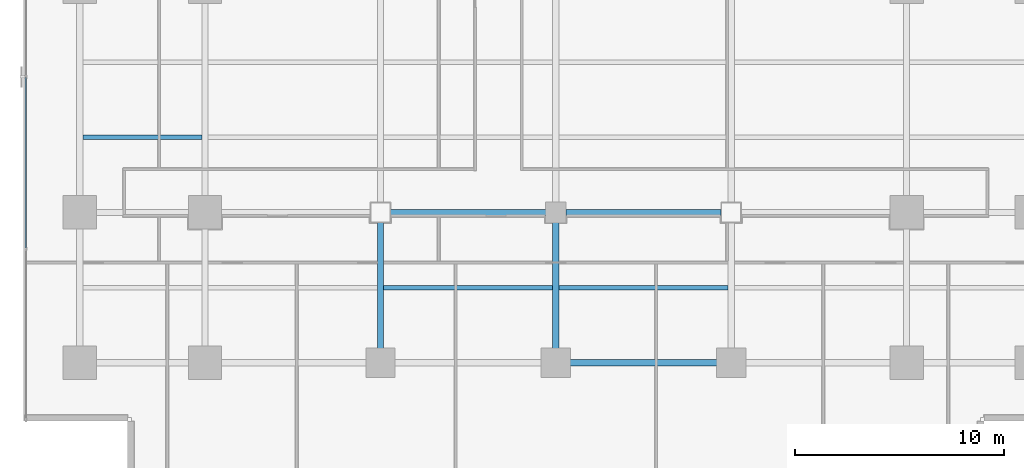
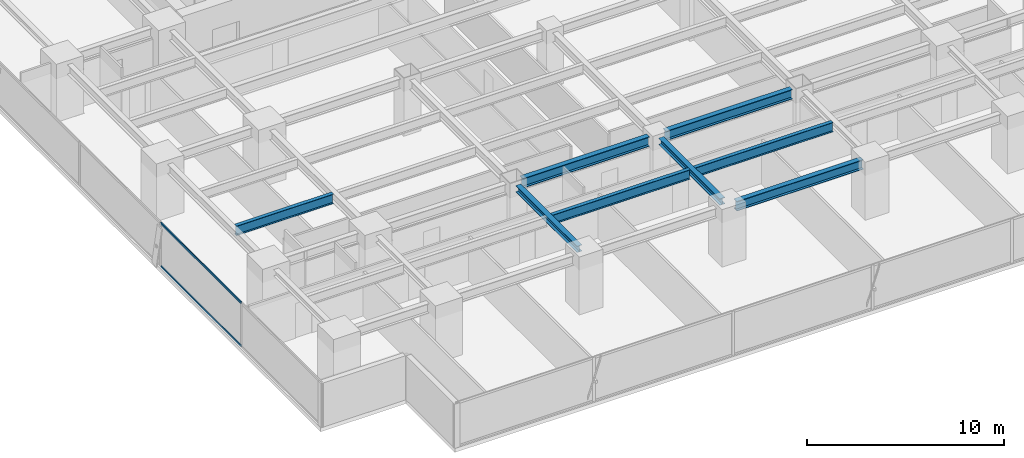
# One storey, part 7 of 36: 8 beams, 2 members, 1 element without a shape of its own.
"""IFC4 building model written with IfcOpenShell, lengths in metres."""

from ifc_helpers import new_model, si_unit, direction, frame, origin, origin_2d, place, context, subcontext, project, spatial, hollow_rectangle, i_section, extrude, source, transform, mapped, material, layer, layer_set, material_profile, profile_set, type_object, element, aggregate, save


model = new_model("IFC4")

# Units and contexts
model_context = context("Model", 3, precision=1e-05, world=origin(), true_north=direction((0.0, 1.0)))
body_context = subcontext(model_context, "Body", "Model", "MODEL_VIEW")
ifc_project = project(units=[si_unit("LENGTHUNIT", "METRE"), si_unit("AREAUNIT", "SQUARE_METRE"), si_unit("VOLUMEUNIT", "CUBIC_METRE"), si_unit("PLANEANGLEUNIT", "RADIAN"), si_unit("MASSUNIT", "GRAM", prefix="KILO")], contexts=[model_context])

# Site, building, storey
site_placement = place(None, origin())
site = spatial("IfcSite", under=ifc_project, at=site_placement, CompositionType="ELEMENT")
building_placement = place(site_placement, origin())
building = spatial("IfcBuilding", under=site, at=building_placement, Name="Sumidabori Civic Tower", CompositionType="ELEMENT")
storey_placement = place(building_placement, frame((0.0, 0.0, 84.800048828125)))
storey = spatial("IfcBuildingStorey", under=building, at=storey_placement, Name="L21", CompositionType="ELEMENT", Elevation=84.800048828125)

# Beams
ifc_material_1 = material(Name="Steel SN490", Category="steel")
ifc_material_profile_1 = material_profile(ifc_material_1, i_section(OverallWidth=0.300048828125, OverallDepth=0.60009765625, WebThickness=0.015380859375, FlangeThickness=0.030029296875, at=origin_2d()), Name="HE 600 B")
ifc_profile_set_1 = profile_set([ifc_material_profile_1], Name="Steel SN490")
beam_type_1 = type_object("IfcBeamType", Name="BM-GIRD-600", PredefinedType="BEAM", material=ifc_profile_set_1)
shared_shape_1 = source(origin(), body_context, "Body", "SweptSolid", [
    extrude(i_section(OverallWidth=0.300048828125, OverallDepth=0.60009765625, WebThickness=0.015380859375, FlangeThickness=0.030029296875, at=origin_2d()), origin(), (0.0, 0.0, 1.0), 7.43994140625),
])
for number, where, z_axis, x_axis, name in (
    (1, (0.47998046875, -18.0, 3.06005859375), (1.0, 0.0, 0.0), (0.0, 1.0, 0.0), "Primary Girder L21 GX-04"),
    (2, (-7.919921875, -10.800048828125, 3.06005859375), (1.0, 0.0, 0.0), (0.0, 1.0, 0.0), "Primary Girder L21 GX-09"),
    (3, (0.47998046875, -10.800048828125, 3.06005859375), (1.0, 0.0, 0.0), (0.0, 1.0, 0.0), "Primary Girder L21 GX-10"),
):
    element("IfcBeam", number, at=place(storey_placement, frame(where, z_axis=z_axis, x_axis=x_axis)), inside=storey, type_object=beam_type_1, Name=name, PredefinedType="BEAM", context=body_context, shape_type="MappedRepresentation", body=[
        mapped(shared_shape_1, transform((0.0, 0.0, 0.0), x_axis=(1.0, 0.0, 0.0), y_axis=(0.0, 1.0, 0.0), z_axis=(0.0, 0.0, 1.0), scale=1.0)),
    ])
ifc_material_profile_2 = material_profile(ifc_material_1, i_section(OverallWidth=0.300048828125, OverallDepth=0.39990234375, WebThickness=0.013427734375, FlangeThickness=0.02392578125, at=origin_2d()), Name="HE 400 B")
ifc_profile_set_2 = profile_set([ifc_material_profile_2], Name="Steel SN490")
beam_type_2 = type_object("IfcBeamType", Name="BM-GIRD-400", PredefinedType="BEAM", material=ifc_profile_set_2)
shared_shape_2 = source(origin(), body_context, "Body", "SweptSolid", [
    extrude(i_section(OverallWidth=0.300048828125, OverallDepth=0.39990234375, WebThickness=0.013427734375, FlangeThickness=0.02392578125, at=origin_2d()), origin(), (0.0, 0.0, 1.0), 6.239990234375),
])
for number, where, z_axis, x_axis, name in (
    (4, (-8.39990234375, -17.52001953125, 3.159912109375), (0.0, 1.0, 0.0), (-1.0, 0.0, 0.0), "Primary Girder L21 GY-29"),
    (5, (0.0, -17.52001953125, 3.159912109375), (0.0, 1.0, 0.0), (-1.0, 0.0, 0.0), "Primary Girder L21 GY-31"),
):
    element("IfcBeam", number, at=place(storey_placement, frame(where, z_axis=z_axis, x_axis=x_axis)), inside=storey, type_object=beam_type_2, Name=name, PredefinedType="BEAM", context=body_context, shape_type="MappedRepresentation", body=[
        mapped(shared_shape_2, transform((0.0, 0.0, 0.0), x_axis=(1.0, 0.0, 0.0), y_axis=(0.0, 1.0, 0.0), z_axis=(0.0, 0.0, 1.0), scale=1.0)),
    ])
ifc_material_profile_3 = material_profile(ifc_material_1, i_section(OverallWidth=0.219970703125, OverallDepth=0.60009765625, WebThickness=0.011962890625, FlangeThickness=0.01904296875, at=origin_2d()), Name="IPE 600")
ifc_profile_set_3 = profile_set([ifc_material_profile_3], Name="Steel SN490")
beam_type_3 = type_object("IfcBeamType", Name="BM-JST-600", PredefinedType="JOIST", material=ifc_profile_set_3)
shared_shape_3 = source(origin(), body_context, "Body", "SweptSolid", [
    extrude(i_section(OverallWidth=0.219970703125, OverallDepth=0.60009765625, WebThickness=0.011962890625, FlangeThickness=0.01904296875, at=origin_2d()), origin(), (0.0, 0.0, 1.0), 5.699951171875),
])
beam_placement = place(storey_placement, frame((-22.64990234375, -7.199951171875, 3.06005859375), z_axis=(1.0, 0.0, 0.0), x_axis=(0.0, 1.0, 0.0)))
element("IfcBeam", 6, at=beam_placement, inside=storey, type_object=beam_type_3, Name="Outer Bay Floor Joist L21 JSTO-43", PredefinedType="JOIST", context=body_context, shape_type="MappedRepresentation", body=[
    mapped(shared_shape_3, transform((0.0, 0.0, 0.0), x_axis=(1.0, 0.0, 0.0), y_axis=(0.0, 1.0, 0.0), z_axis=(0.0, 0.0, 1.0), scale=1.0)),
])
shared_shape_4 = source(origin(), body_context, "Body", "SweptSolid", [
    extrude(i_section(OverallWidth=0.219970703125, OverallDepth=0.60009765625, WebThickness=0.011962890625, FlangeThickness=0.01904296875, at=origin_2d()), origin(), (0.0, 0.0, 1.0), 8.10009765625),
])
for number, where, z_axis, x_axis, name in (
    (7, (-8.25, -14.39990234375, 3.06005859375), (1.0, 0.0, 0.0), (0.0, 1.0, 0.0), "South Bay Floor Joist L21 JSTS-56"),
    (8, (0.14990234375, -14.39990234375, 3.06005859375), (1.0, 0.0, 0.0), (0.0, 1.0, 0.0), "South Bay Floor Joist L21 JSTS-57"),
):
    element("IfcBeam", number, at=place(storey_placement, frame(where, z_axis=z_axis, x_axis=x_axis)), inside=storey, type_object=beam_type_3, Name=name, PredefinedType="JOIST", context=body_context, shape_type="MappedRepresentation", body=[
        mapped(shared_shape_4, transform((0.0, 0.0, 0.0), x_axis=(1.0, 0.0, 0.0), y_axis=(0.0, 1.0, 0.0), z_axis=(0.0, 0.0, 1.0), scale=1.0)),
    ])

# Curtain wall, members
ifc_material_2 = material(Name="Anodised Bronze Aluminium AW-6063-T6", Category="aluminium")
ifc_layer = layer(ifc_material_2, 0.179931640625, Name="Anodised Bronze Aluminium AW-6063-T6")
ifc_layer_set = layer_set([ifc_layer], Name="Anodised Bronze Aluminium AW-6063-T6")
curtain_wall_type = type_object("IfcCurtainWallType", Name="CW-SYS-3", PredefinedType="NOTDEFINED", material=ifc_layer_set)
curtain_wall_placement = place(storey_placement, origin())
curtain_wall = element("IfcCurtainWall", 9, at=curtain_wall_placement, inside=storey, type_object=curtain_wall_type, Name="Curtain Wall CW:L21:R10", PredefinedType="NOTDEFINED")
ifc_material_profile_4 = material_profile(ifc_material_2, hollow_rectangle(XDim=0.06005859375, YDim=0.1298828125, WallThickness=0.0048828125, at=origin_2d()), Name="ALU TRANSOM 130x60")
ifc_profile_set_4 = profile_set([ifc_material_profile_4], Name="Anodised Bronze Aluminium AW-6063-T6")
member_type = type_object("IfcMemberType", Name="CW-TRN-130", PredefinedType="USERDEFINED", material=ifc_profile_set_4)
shared_shape_5 = source(origin(), body_context, "Body", "SweptSolid", [
    extrude(hollow_rectangle(XDim=0.06005859375, YDim=0.1298828125, WallThickness=0.0048828125, at=origin_2d()), origin(), (0.0, 0.0, 1.0), 8.1630859375),
])
member_1_placement = place(storey_placement, frame((-25.3798828125, -4.346435546875, 0.030029296875), z_axis=(0.0, -1.0, 0.0), x_axis=(1.0, 0.0, 0.0)))
member_1 = element("IfcMember", 10, at=member_1_placement, type_object=member_type, Name="CW-3 transom 4.1", ObjectType="TRANSOM", PredefinedType="USERDEFINED", context=body_context, shape_type="MappedRepresentation", body=[
    mapped(shared_shape_5, transform((0.0, 0.0, 0.0), x_axis=(1.0, 0.0, 0.0), y_axis=(0.0, 1.0, 0.0), z_axis=(0.0, 0.0, 1.0), scale=1.0)),
])
member_2_placement = place(storey_placement, frame((-25.3798828125, -4.346435546875, 2.7099609375), z_axis=(0.0, -1.0, 0.0), x_axis=(1.0, 0.0, 0.0)))
member_2 = element("IfcMember", 11, at=member_2_placement, type_object=member_type, Name="CW-3 transom 4.2", ObjectType="TRANSOM", PredefinedType="USERDEFINED", context=body_context, shape_type="MappedRepresentation", body=[
    mapped(shared_shape_5, transform((0.0, 0.0, 0.0), x_axis=(1.0, 0.0, 0.0), y_axis=(0.0, 1.0, 0.0), z_axis=(0.0, 0.0, 1.0), scale=1.0)),
])
aggregate(curtain_wall, [member_1, member_2])

save(model, "model.ifc")
